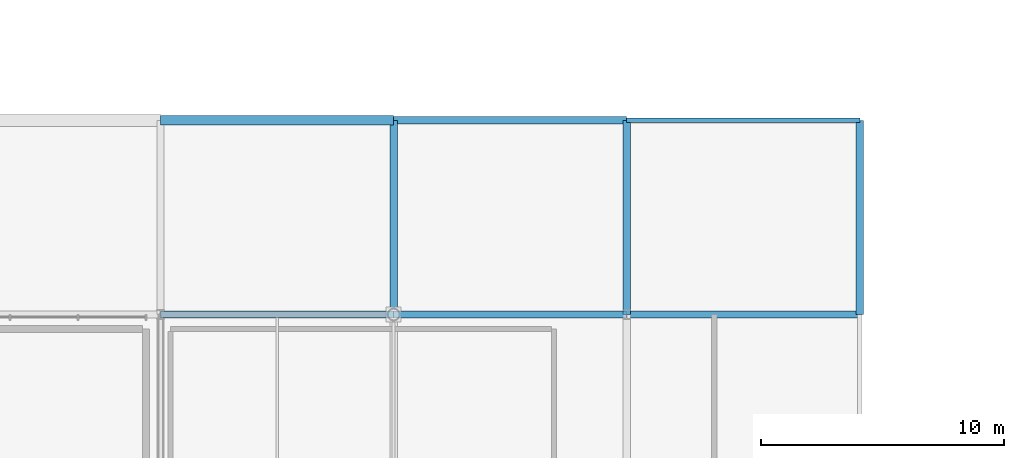
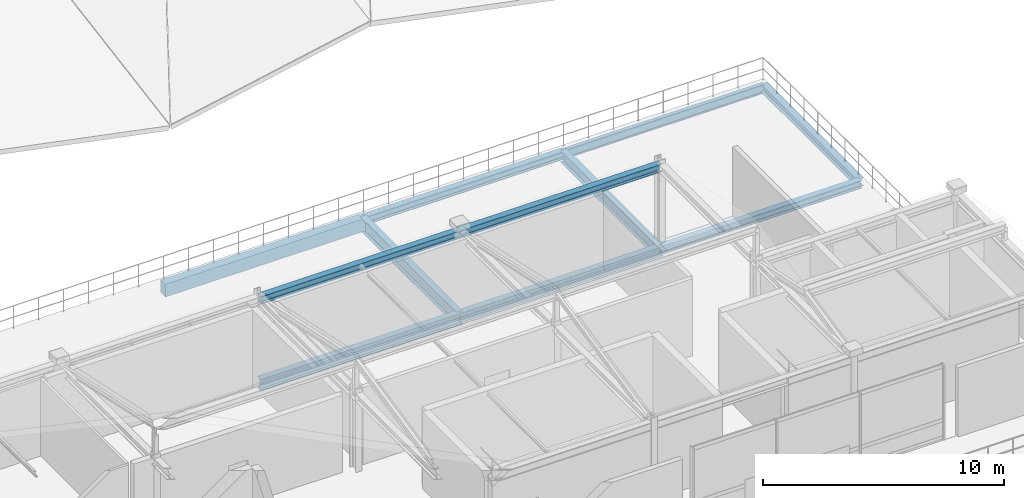
# One storey, part 12 of 26: 11 beams.
"""IFC4 building model written with IfcOpenShell, lengths in metres."""

from ifc_helpers import new_model, si_unit, direction, frame, origin, origin_2d, place, context, subcontext, project, spatial, rectangle, i_section, extrude, material, material_profile, profile_set, type_object, element, save


model = new_model("IFC4")

# Units and contexts
model_context = context("Model", 3, precision=1e-05, world=origin(), true_north=direction((0.0, 1.0)))
body_context = subcontext(model_context, "Body", "Model", "MODEL_VIEW")
ifc_project = project(units=[si_unit("LENGTHUNIT", "METRE"), si_unit("AREAUNIT", "SQUARE_METRE"), si_unit("VOLUMEUNIT", "CUBIC_METRE"), si_unit("PLANEANGLEUNIT", "RADIAN"), si_unit("MASSUNIT", "GRAM", prefix="KILO")], contexts=[model_context])

# Site, building, storey
site_placement = place(None, origin())
site = spatial("IfcSite", under=ifc_project, at=site_placement, CompositionType="ELEMENT")
building_placement = place(site_placement, origin())
building = spatial("IfcBuilding", under=site, at=building_placement, Name="Danafjord Basin Convention Centre", CompositionType="ELEMENT")
storey_placement = place(building_placement, frame((0.0, 0.0, 29.39990234375)))
storey = spatial("IfcBuildingStorey", under=building, at=storey_placement, Name="RF", CompositionType="ELEMENT", Elevation=29.39990234375)

# Beams
ifc_material_1 = material(Name="Steel S355", Category="steel")
ifc_material_profile_1 = material_profile(ifc_material_1, i_section(OverallWidth=0.300048828125, OverallDepth=0.389892578125, WebThickness=0.010986328125, FlangeThickness=0.01904296875, FilletRadius=0.027099609375, at=origin_2d()), Name="HEA 400")
ifc_profile_set_1 = profile_set([ifc_material_profile_1], Name="Steel S355")
beam_type_1 = type_object("IfcBeamType", Name="BEAM-BM-HEA400", PredefinedType="BEAM", material=ifc_profile_set_1)
for number, where, z_axis, x_axis, name in (
    (1, (86.39990234375, 32.0, -0.434814453125), (1.0, 0.0, 0.0), (0.0, 1.0, 0.0), "RF girder BM-HEA400"),
    (2, (67.199951171875, 32.0, 3.760009765625), (1.0, 0.0, 0.0), (0.0, 1.0, 0.0), "Observatory north eave girder"),
):
    element("IfcBeam", number, at=place(storey_placement, frame(where, z_axis=z_axis, x_axis=x_axis)), inside=storey, type_object=beam_type_1, Name=name, PredefinedType="BEAM", context=body_context, shape_type="SweptSolid", body=[
        extrude(i_section(OverallWidth=0.300048828125, OverallDepth=0.389892578125, WebThickness=0.010986328125, FlangeThickness=0.01904296875, FilletRadius=0.027099609375, at=origin_2d()), origin(), (0.0, 0.0, 1.0), 9.60009765625),
    ])
beam_1_placement = place(storey_placement, frame((76.800048828125, 32.0, 3.760009765625), z_axis=(1.0, 0.0, 0.0), x_axis=(0.0, 1.0, 0.0)))
element("IfcBeam", 3, at=beam_1_placement, inside=storey, type_object=beam_type_1, Name="Observatory north eave girder", PredefinedType="BEAM", context=body_context, shape_type="SweptSolid", body=[
    extrude(i_section(OverallWidth=0.300048828125, OverallDepth=0.389892578125, WebThickness=0.010986328125, FlangeThickness=0.01904296875, FilletRadius=0.027099609375, at=origin_2d()), origin(), (0.0, 0.0, 1.0), 9.599853515625),
])
ifc_material_profile_2 = material_profile(ifc_material_1, i_section(OverallWidth=0.300048828125, OverallDepth=0.489990234375, WebThickness=0.011962890625, FlangeThickness=0.02294921875, FilletRadius=0.027099609375, at=origin_2d()), Name="HEA 500")
ifc_profile_set_2 = profile_set([ifc_material_profile_2], Name="Steel S355")
beam_type_2 = type_object("IfcBeamType", Name="BEAM-BM-HEA500", PredefinedType="BEAM", material=ifc_profile_set_2)
beam_2_placement = place(storey_placement, frame((76.800048828125, 32.0, -0.48486328125), z_axis=(1.0, 0.0, 0.0), x_axis=(0.0, 1.0, 0.0)))
element("IfcBeam", 4, at=beam_2_placement, inside=storey, type_object=beam_type_2, Name="RF girder BM-HEA500", PredefinedType="BEAM", context=body_context, shape_type="SweptSolid", body=[
    extrude(i_section(OverallWidth=0.300048828125, OverallDepth=0.489990234375, WebThickness=0.011962890625, FlangeThickness=0.02294921875, FilletRadius=0.027099609375, at=origin_2d()), origin(), (0.0, 0.0, 1.0), 9.599853515625),
])
ifc_material_profile_3 = material_profile(ifc_material_1, i_section(OverallWidth=0.300048828125, OverallDepth=0.590087890625, WebThickness=0.012939453125, FlangeThickness=0.02490234375, FilletRadius=0.027099609375, at=origin_2d()), Name="HEA 600")
ifc_profile_set_3 = profile_set([ifc_material_profile_3], Name="Steel S355")
beam_type_3 = type_object("IfcBeamType", Name="BEAM-BM-HEA600", PredefinedType="BEAM", material=ifc_profile_set_3)
beam_3_placement = place(storey_placement, frame((67.199951171875, 32.0, -0.534912109375), z_axis=(1.0, 0.0, 0.0), x_axis=(0.0, 1.0, 0.0)))
element("IfcBeam", 5, at=beam_3_placement, inside=storey, type_object=beam_type_3, Name="RF girder BM-HEA600", PredefinedType="BEAM", context=body_context, shape_type="SweptSolid", body=[
    extrude(i_section(OverallWidth=0.300048828125, OverallDepth=0.590087890625, WebThickness=0.012939453125, FlangeThickness=0.02490234375, FilletRadius=0.027099609375, at=origin_2d()), origin(), (0.0, 0.0, 1.0), 9.60009765625),
])
ifc_material_profile_4 = material_profile(ifc_material_1, i_section(OverallWidth=0.300048828125, OverallDepth=0.60009765625, WebThickness=0.015380859375, FlangeThickness=0.030029296875, FilletRadius=0.027099609375, at=origin_2d()), Name="HEB 600")
ifc_profile_set_4 = profile_set([ifc_material_profile_4], Name="Steel S355")
beam_type_4 = type_object("IfcBeamType", Name="BEAM-BM-HEB600", PredefinedType="BEAM", material=ifc_profile_set_4)
beam_4_placement = place(storey_placement, frame((86.39990234375, 32.0, -0.539794921875), z_axis=(0.0, 1.0, 0.0), x_axis=(-1.0, 0.0, 0.0)))
element("IfcBeam", 6, at=beam_4_placement, inside=storey, type_object=beam_type_4, Name="RF transverse girder BM-HEB600", PredefinedType="BEAM", context=body_context, shape_type="SweptSolid", body=[
    extrude(i_section(OverallWidth=0.300048828125, OverallDepth=0.60009765625, WebThickness=0.015380859375, FlangeThickness=0.030029296875, FilletRadius=0.027099609375, at=origin_2d()), origin(), (0.0, 0.0, 1.0), 8.0),
])
ifc_material_profile_5 = material_profile(ifc_material_1, i_section(OverallWidth=0.300048828125, OverallDepth=0.699951171875, WebThickness=0.01708984375, FlangeThickness=0.031982421875, FilletRadius=0.027099609375, at=origin_2d()), Name="HEB 700")
ifc_profile_set_5 = profile_set([ifc_material_profile_5], Name="Steel S355")
beam_type_5 = type_object("IfcBeamType", Name="BEAM-BM-HEB700", PredefinedType="BEAM", material=ifc_profile_set_5)
beam_5_placement = place(storey_placement, frame((76.800048828125, 32.0, -0.58984375), z_axis=(0.0, 1.0, 0.0), x_axis=(-1.0, 0.0, 0.0)))
element("IfcBeam", 7, at=beam_5_placement, inside=storey, type_object=beam_type_5, Name="RF transverse girder BM-HEB700", PredefinedType="BEAM", context=body_context, shape_type="SweptSolid", body=[
    extrude(i_section(OverallWidth=0.300048828125, OverallDepth=0.699951171875, WebThickness=0.01708984375, FlangeThickness=0.031982421875, FilletRadius=0.027099609375, at=origin_2d()), origin(), (0.0, 0.0, 1.0), 8.0),
])
ifc_material_profile_6 = material_profile(ifc_material_1, i_section(OverallWidth=0.300048828125, OverallDepth=0.39990234375, WebThickness=0.013427734375, FlangeThickness=0.02392578125, FilletRadius=0.027099609375, at=origin_2d()), Name="HEB 400")
ifc_profile_set_6 = profile_set([ifc_material_profile_6], Name="Steel S355")
beam_type_6 = type_object("IfcBeamType", Name="BEAM-SP-HEB400", PredefinedType="SPANDREL", material=ifc_profile_set_6)
beam_6_placement = place(storey_placement, frame((76.800048828125, 40.0, -0.43994140625), z_axis=(1.0, 0.0, 0.0), x_axis=(0.0, 1.0, 0.0)))
element("IfcBeam", 8, at=beam_6_placement, inside=storey, type_object=beam_type_6, Name="RF girder SP-HEB400", PredefinedType="SPANDREL", context=body_context, shape_type="SweptSolid", body=[
    extrude(i_section(OverallWidth=0.300048828125, OverallDepth=0.39990234375, WebThickness=0.013427734375, FlangeThickness=0.02392578125, FilletRadius=0.027099609375, at=origin_2d()), origin(), (0.0, 0.0, 1.0), 9.599853515625),
])
beam_7_placement = place(storey_placement, frame((96.0, 32.0, -0.43994140625), z_axis=(0.0, 1.0, 0.0), x_axis=(-1.0, 0.0, 0.0)))
element("IfcBeam", 9, at=beam_7_placement, inside=storey, type_object=beam_type_6, Name="RF transverse girder SP-HEB400", PredefinedType="SPANDREL", context=body_context, shape_type="SweptSolid", body=[
    extrude(i_section(OverallWidth=0.300048828125, OverallDepth=0.39990234375, WebThickness=0.013427734375, FlangeThickness=0.02392578125, FilletRadius=0.027099609375, at=origin_2d()), origin(), (0.0, 0.0, 1.0), 8.0),
])
ifc_material_profile_7 = material_profile(ifc_material_1, i_section(OverallWidth=0.18994140625, OverallDepth=0.449951171875, WebThickness=0.009521484375, FlangeThickness=0.0146484375, FilletRadius=0.02099609375, at=origin_2d()), Name="IPE 450")
ifc_profile_set_7 = profile_set([ifc_material_profile_7], Name="Steel S355")
beam_type_7 = type_object("IfcBeamType", Name="BEAM-SP-IPE450", PredefinedType="SPANDREL", material=ifc_profile_set_7)
beam_8_placement = place(storey_placement, frame((86.39990234375, 40.0, -0.46484375), z_axis=(1.0, 0.0, 0.0), x_axis=(0.0, 1.0, 0.0)))
element("IfcBeam", 10, at=beam_8_placement, inside=storey, type_object=beam_type_7, Name="RF girder SP-IPE450", PredefinedType="SPANDREL", context=body_context, shape_type="SweptSolid", body=[
    extrude(i_section(OverallWidth=0.18994140625, OverallDepth=0.449951171875, WebThickness=0.009521484375, FlangeThickness=0.0146484375, FilletRadius=0.02099609375, at=origin_2d()), origin(), (0.0, 0.0, 1.0), 9.60009765625),
])
ifc_material_2 = material(Name="Precast concrete C45/55", Category="concrete")
ifc_material_profile_8 = material_profile(ifc_material_2, rectangle(XDim=0.39990234375, YDim=0.64990234375, at=origin_2d()), Name="PCB 400x650")
ifc_profile_set_8 = profile_set([ifc_material_profile_8], Name="Precast concrete C45/55")
beam_type_8 = type_object("IfcBeamType", Name="BEAM-SP-PCB650", PredefinedType="SPANDREL", material=ifc_profile_set_8)
beam_9_placement = place(storey_placement, frame((67.199951171875, 40.0, -0.56494140625), z_axis=(1.0, 0.0, 0.0), x_axis=(0.0, 1.0, 0.0)))
element("IfcBeam", 11, at=beam_9_placement, inside=storey, type_object=beam_type_8, Name="RF girder SP-PCB650", PredefinedType="SPANDREL", context=body_context, shape_type="SweptSolid", body=[
    extrude(rectangle(XDim=0.39990234375, YDim=0.64990234375, at=origin_2d()), origin(), (0.0, 0.0, 1.0), 9.60009765625),
])

save(model, "model.ifc")
